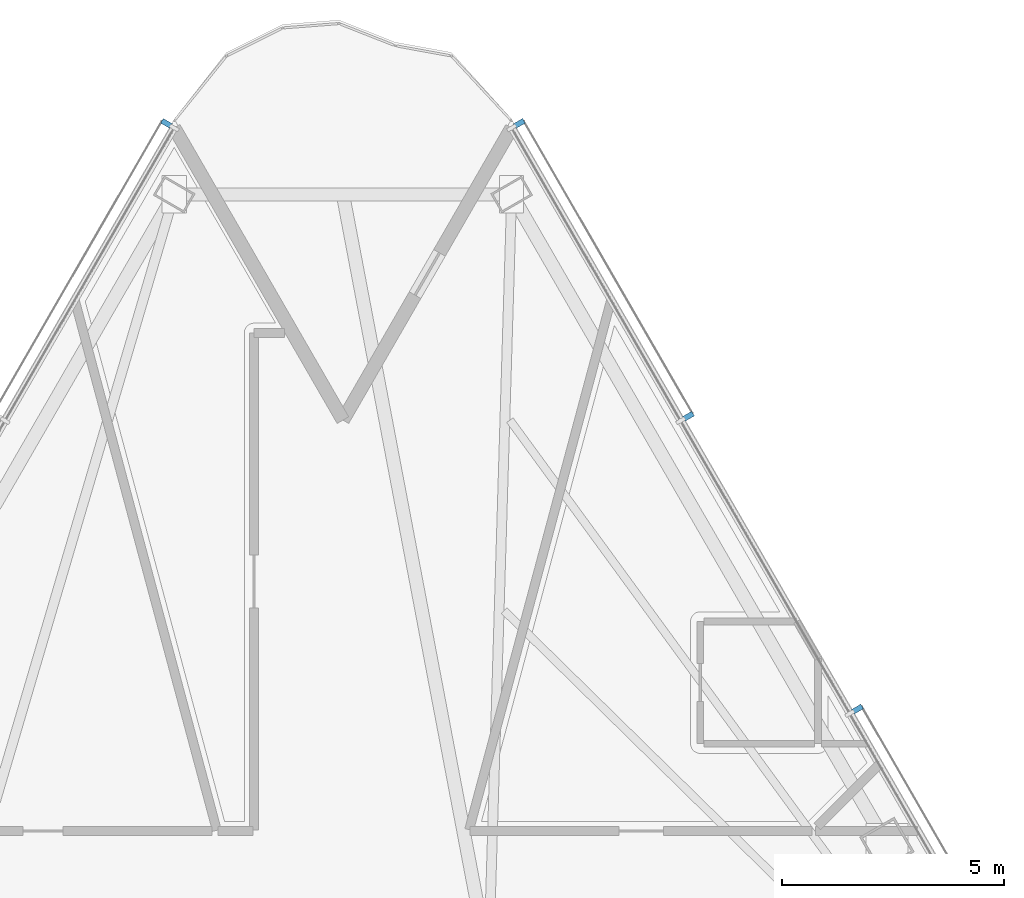
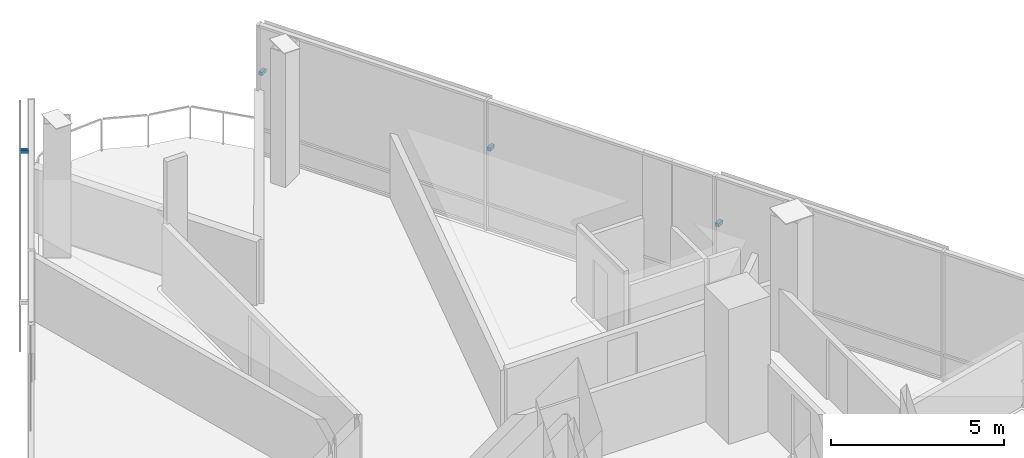
# One storey, part 13 of 17: 4 discrete accessories.
"""IFC4 building model written with IfcOpenShell, lengths in metres."""

from ifc_helpers import new_model, si_unit, direction, frame, origin, origin_2d, place, context, subcontext, project, spatial, rectangle, extrude, material, type_object, element, save


model = new_model("IFC4")

# Units and contexts
model_context = context("Model", 3, precision=1e-05, world=origin(), true_north=direction((0.0, 1.0)))
body_context = subcontext(model_context, "Body", "Model", "MODEL_VIEW")
ifc_project = project(units=[si_unit("LENGTHUNIT", "METRE"), si_unit("AREAUNIT", "SQUARE_METRE"), si_unit("VOLUMEUNIT", "CUBIC_METRE"), si_unit("PLANEANGLEUNIT", "RADIAN"), si_unit("MASSUNIT", "GRAM", prefix="KILO")], contexts=[model_context])

# Site, building, storey
site_placement = place(None, origin())
site = spatial("IfcSite", under=ifc_project, at=site_placement, CompositionType="ELEMENT")
building_placement = place(site_placement, origin())
building = spatial("IfcBuilding", under=site, at=building_placement, Name="Tharavind Bronze Gate", CompositionType="ELEMENT")
storey_placement = place(building_placement, frame((0.0, 0.0, 52.25)))
storey = spatial("IfcBuildingStorey", under=building, at=storey_placement, Name="L12", CompositionType="ELEMENT", Elevation=52.25)

# Discrete accessories
ifc_material = material(Name="Stainless Steel 316", Category="steel")
discrete_accessory_type = type_object("IfcDiscreteAccessoryType", Name="SOLAR SCREEN STANDOFF BRACKET", PredefinedType="BRACKET", material=ifc_material)
for number, where, z_axis, x_axis, name in (
    (1, (-3.97314453125, 26.518310546875, 2.669921875), (0.0, 0.0, 1.0), (-0.500001511499, -0.866024531118, 0.0), "CW-L12-S1 solar screen bracket 1.1"),
    (2, (11.589111328125, 13.326904296875, 2.669921875), (0.0, 0.0, 1.0), (-0.500001511499, 0.866024531118, 0.0), "CW-L12-S3 solar screen bracket 5.2"),
    (3, (7.78125, 19.922607421875, 2.669921875), (0.0, 0.0, 1.0), (-0.500001511499, 0.866024531118, 0.0), "CW-L12-S3 solar screen bracket 7.1"),
    (4, (3.97314453125, 26.518310546875, 2.669921875), (0.0, 0.0, 1.0), (-0.500001511499, 0.866024531118, 0.0), "CW-L12-S3 solar screen bracket 7.2"),
):
    element("IfcDiscreteAccessory", number, at=place(storey_placement, frame(where, z_axis=z_axis, x_axis=x_axis)), inside=storey, type_object=discrete_accessory_type, Name=name, PredefinedType="BRACKET", context=body_context, shape_type="SweptSolid", body=[
        extrude(rectangle(XDim=0.1201171875, YDim=0.239990234375, at=origin_2d()), origin(), (0.0, 0.0, 1.0), 0.1201171875),
    ])

save(model, "model.ifc")
